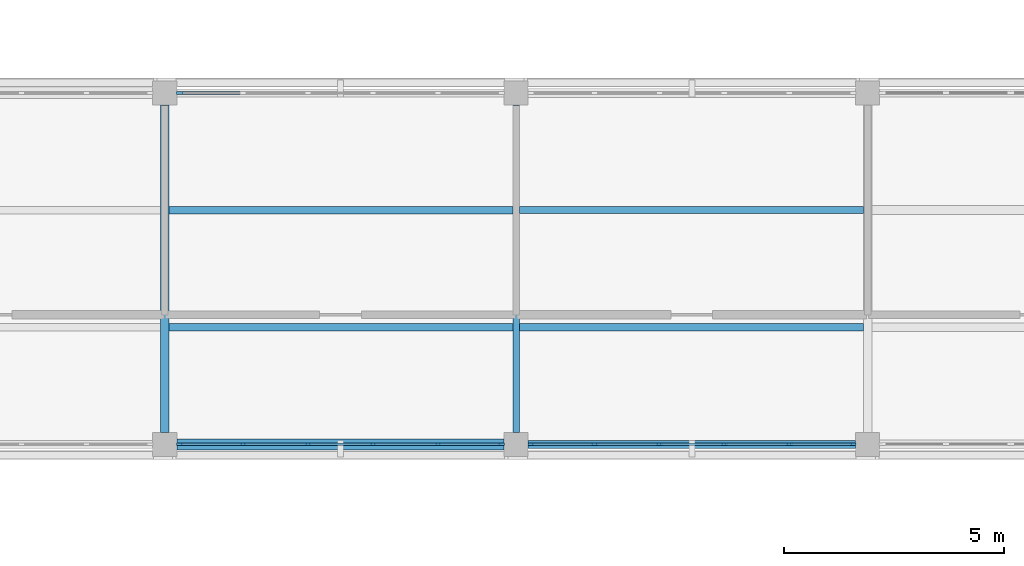
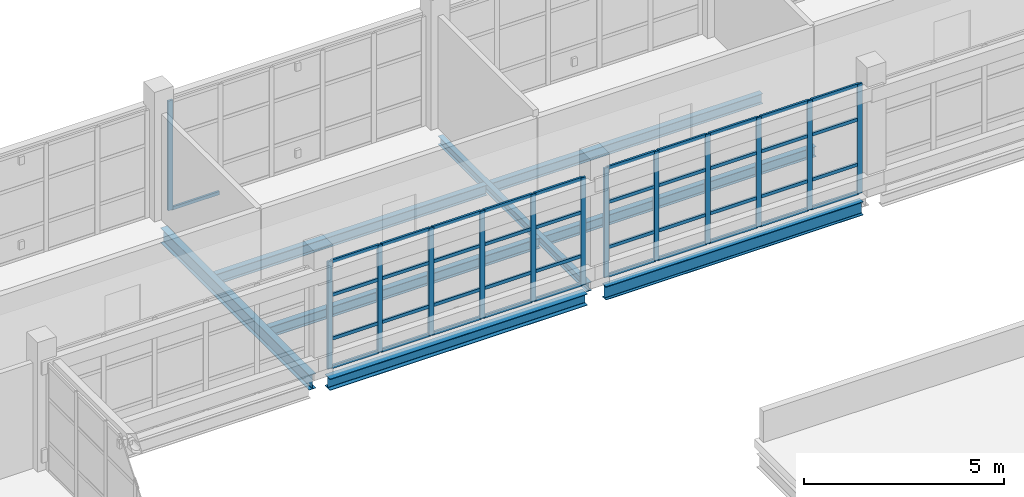
# One storey, part 36 of 92: 54 members, 8 beams, 3 elements without a shape of their own.
"""IFC4 building model written with IfcOpenShell, lengths in metres."""

from ifc_helpers import new_model, si_unit, derived_unit, direction, frame, origin, origin_2d, place, context, subcontext, project, spatial, rectangle, i_section, extrude, material, layer, layer_set, material_profile, profile_set, type_object, element, aggregate, save


model = new_model("IFC4")

# Units and contexts
model_context = context("Model", 3, precision=1e-05, world=origin(), true_north=direction((0.0, 1.0)))
body_context = subcontext(model_context, "Body", "Model", "MODEL_VIEW")
ifc_project = project(units=[si_unit("LENGTHUNIT", "METRE"), si_unit("AREAUNIT", "SQUARE_METRE"), si_unit("VOLUMEUNIT", "CUBIC_METRE"), si_unit("PLANEANGLEUNIT", "RADIAN"), si_unit("MASSUNIT", "GRAM", prefix="KILO"), derived_unit("THERMALTRANSMITTANCEUNIT", [(si_unit("MASSUNIT", "GRAM", prefix="KILO"), 1), (si_unit("TIMEUNIT", "SECOND"), -3), (si_unit("THERMODYNAMICTEMPERATUREUNIT", "KELVIN"), -1)])], contexts=[model_context])

# Site, building, storey
site_placement = place(None, origin())
site = spatial("IfcSite", under=ifc_project, at=site_placement, CompositionType="ELEMENT")
building_placement = place(site_placement, origin())
building = spatial("IfcBuilding", under=site, at=building_placement, Name="Veyamyaing Civic Hall", CompositionType="ELEMENT")
storey_placement = place(building_placement, frame((0.0, 0.0, 17.820068359375)))
storey = spatial("IfcBuildingStorey", under=building, at=storey_placement, Name="L04", CompositionType="ELEMENT", Elevation=17.820068359375)

# Beams
ifc_material_1 = material(Name="Steel ASTM A992", Category="steel")
ifc_material_profile_1 = material_profile(ifc_material_1, i_section(OverallWidth=0.18994140625, OverallDepth=0.45703125, WebThickness=0.009033203125, FlangeThickness=0.014404296875, FilletRadius=0.010009765625, at=origin_2d()), Name="W460X74")
ifc_profile_set_1 = profile_set([ifc_material_profile_1], Name="Steel ASTM A992")
beam_type_1 = type_object("IfcBeamType", Name="B-09", PredefinedType="BEAM", material=ifc_profile_set_1)
beam_1_placement = place(storey_placement, frame((128.0, 48.27490234375, -0.463623046875), z_axis=(0.0, 1.0, 0.0), x_axis=(-1.0, 0.0, 0.0)))
element("IfcBeam", 1, at=beam_1_placement, inside=storey, type_object=beam_type_1, Name="Girder B-09 L04 Grid 17 G-H", PredefinedType="BEAM", context=body_context, shape_type="SweptSolid", body=[
    extrude(i_section(OverallWidth=0.18994140625, OverallDepth=0.45703125, WebThickness=0.009033203125, FlangeThickness=0.014404296875, FilletRadius=0.010009765625, at=origin_2d()), origin(), (0.0, 0.0, 1.0), 7.4501953125),
])
ifc_material_profile_2 = material_profile(ifc_material_1, i_section(OverallWidth=0.179931640625, OverallDepth=0.4130859375, WebThickness=0.009765625, FlangeThickness=0.01611328125, FilletRadius=0.010009765625, at=origin_2d()), Name="W410X74")
ifc_profile_set_2 = profile_set([ifc_material_profile_2], Name="Steel ASTM A992")
beam_type_2 = type_object("IfcBeamType", Name="B-10", PredefinedType="SPANDREL", material=ifc_profile_set_2)
beam_2_placement = place(storey_placement, frame((136.27490234375, 48.0, -0.441650390625), z_axis=(1.0, 0.0, 0.0), x_axis=(0.0, 1.0, 0.0)))
element("IfcBeam", 2, at=beam_2_placement, inside=storey, type_object=beam_type_2, Name="Girder B-10 L04 Grid G 18-19", PredefinedType="SPANDREL", context=body_context, shape_type="SweptSolid", body=[
    extrude(i_section(OverallWidth=0.179931640625, OverallDepth=0.4130859375, WebThickness=0.009765625, FlangeThickness=0.01611328125, FilletRadius=0.010009765625, at=origin_2d()), origin(), (0.0, 0.0, 1.0), 7.4501953125),
])
ifc_material_profile_3 = material_profile(ifc_material_1, i_section(OverallWidth=0.14599609375, OverallDepth=0.258056640625, WebThickness=0.006103515625, FlangeThickness=0.009033203125, FilletRadius=0.010009765625, at=origin_2d()), Name="W250X33")
ifc_profile_set_3 = profile_set([ifc_material_profile_3], Name="Steel ASTM A992")
beam_type_3 = type_object("IfcBeamType", Name="B-12", PredefinedType="BEAM", material=ifc_profile_set_3)
beam_3_placement = place(storey_placement, frame((136.0, 48.27490234375, -0.364013671875), z_axis=(0.0, 1.0, 0.0), x_axis=(-1.0, 0.0, 0.0)))
element("IfcBeam", 3, at=beam_3_placement, inside=storey, type_object=beam_type_3, Name="Girder B-12 L04 Grid 18 G-H", PredefinedType="BEAM", context=body_context, shape_type="SweptSolid", body=[
    extrude(i_section(OverallWidth=0.14599609375, OverallDepth=0.258056640625, WebThickness=0.006103515625, FlangeThickness=0.009033203125, FilletRadius=0.010009765625, at=origin_2d()), origin(), (0.0, 0.0, 1.0), 7.4501953125),
])
ifc_material_profile_4 = material_profile(ifc_material_1, i_section(OverallWidth=0.25390625, OverallDepth=0.35302734375, WebThickness=0.009521484375, FlangeThickness=0.016357421875, FilletRadius=0.011962890625, at=origin_2d()), Name="W360X91")
ifc_profile_set_4 = profile_set([ifc_material_profile_4], Name="Steel ASTM A992")
beam_type_4 = type_object("IfcBeamType", Name="B-20", PredefinedType="SPANDREL", material=ifc_profile_set_4)
beam_4_placement = place(storey_placement, frame((128.27490234375, 48.0, -0.41162109375), z_axis=(1.0, 0.0, 0.0), x_axis=(0.0, 1.0, 0.0)))
element("IfcBeam", 4, at=beam_4_placement, inside=storey, type_object=beam_type_4, Name="Girder B-20 L04 Grid G 17-18", PredefinedType="SPANDREL", context=body_context, shape_type="SweptSolid", body=[
    extrude(i_section(OverallWidth=0.25390625, OverallDepth=0.35302734375, WebThickness=0.009521484375, FlangeThickness=0.016357421875, FilletRadius=0.011962890625, at=origin_2d()), origin(), (0.0, 0.0, 1.0), 7.4501953125),
])

# Curtain wall, members
ifc_material_2 = material(Name="Anodised aluminium 6063-T6", Category="aluminium")
ifc_layer = layer(ifc_material_2, 0.139892578125, Name="Anodised aluminium 6063-T6")
ifc_layer_set = layer_set([ifc_layer], Name="Anodised aluminium 6063-T6")
curtain_wall_type = type_object("IfcCurtainWallType", Name="CW-04", PredefinedType="NOTDEFINED", material=ifc_layer_set)
curtain_wall_1_placement = place(storey_placement, origin())
curtain_wall_1 = element("IfcCurtainWall", 5, at=curtain_wall_1_placement, inside=storey, type_object=curtain_wall_type, Name="Unitized curtain wall CW-04 L04 S 17.7", PredefinedType="NOTDEFINED")
ifc_material_profile_5 = material_profile(ifc_material_2, rectangle(XDim=0.06005859375, YDim=0.139892578125, at=origin_2d()), Name="ALU-MUL-60X140")
ifc_profile_set_5 = profile_set([ifc_material_profile_5], Name="Anodised aluminium 6063-T6")
member_type_1 = type_object("IfcMemberType", Name="CWM-03", PredefinedType="MULLION", material=ifc_profile_set_5)
member_1_placement = place(storey_placement, frame((128.3349609375, 48.0, 0.0), z_axis=(0.0, 0.0, 1.0), x_axis=(0.0, 1.0, 0.0)))
member_1 = element("IfcMember", 6, at=member_1_placement, type_object=member_type_1, Name="CW-04 mullion 1", PredefinedType="MULLION", context=body_context, shape_type="SweptSolid", body=[
    extrude(rectangle(XDim=0.06005859375, YDim=0.139892578125, at=origin_2d()), origin(), (0.0, 0.0, 1.0), 3.288818359375),
])
member_2_placement = place(storey_placement, frame((129.782958984375, 48.0, 0.0), z_axis=(0.0, 0.0, 1.0), x_axis=(0.0, 1.0, 0.0)))
member_2 = element("IfcMember", 7, at=member_2_placement, type_object=member_type_1, Name="CW-04 mullion 2", PredefinedType="MULLION", context=body_context, shape_type="SweptSolid", body=[
    extrude(rectangle(XDim=0.06005859375, YDim=0.139892578125, at=origin_2d()), origin(), (0.0, 0.0, 1.0), 3.288818359375),
])
member_3_placement = place(storey_placement, frame((131.260986328125, 48.0, 0.0), z_axis=(0.0, 0.0, 1.0), x_axis=(0.0, 1.0, 0.0)))
member_3 = element("IfcMember", 8, at=member_3_placement, type_object=member_type_1, Name="CW-04 mullion 3", PredefinedType="MULLION", context=body_context, shape_type="SweptSolid", body=[
    extrude(rectangle(XDim=0.06005859375, YDim=0.139892578125, at=origin_2d()), origin(), (0.0, 0.0, 1.0), 3.288818359375),
])
member_4_placement = place(storey_placement, frame((132.739013671875, 48.0, 0.0), z_axis=(0.0, 0.0, 1.0), x_axis=(0.0, 1.0, 0.0)))
member_4 = element("IfcMember", 9, at=member_4_placement, type_object=member_type_1, Name="CW-04 mullion 4", PredefinedType="MULLION", context=body_context, shape_type="SweptSolid", body=[
    extrude(rectangle(XDim=0.06005859375, YDim=0.139892578125, at=origin_2d()), origin(), (0.0, 0.0, 1.0), 3.288818359375),
])
member_5_placement = place(storey_placement, frame((134.217041015625, 48.0, 0.0), z_axis=(0.0, 0.0, 1.0), x_axis=(0.0, 1.0, 0.0)))
member_5 = element("IfcMember", 10, at=member_5_placement, type_object=member_type_1, Name="CW-04 mullion 5", PredefinedType="MULLION", context=body_context, shape_type="SweptSolid", body=[
    extrude(rectangle(XDim=0.06005859375, YDim=0.139892578125, at=origin_2d()), origin(), (0.0, 0.0, 1.0), 3.288818359375),
])
member_6_placement = place(storey_placement, frame((135.6650390625, 48.0, 0.0), z_axis=(0.0, 0.0, 1.0), x_axis=(0.0, 1.0, 0.0)))
member_6 = element("IfcMember", 11, at=member_6_placement, type_object=member_type_1, Name="CW-04 mullion 6", PredefinedType="MULLION", context=body_context, shape_type="SweptSolid", body=[
    extrude(rectangle(XDim=0.06005859375, YDim=0.139892578125, at=origin_2d()), origin(), (0.0, 0.0, 1.0), 3.288818359375),
])

# Curtain wall, member
curtain_wall_2_placement = place(storey_placement, origin())
curtain_wall_2 = element("IfcCurtainWall", 12, at=curtain_wall_2_placement, inside=storey, type_object=curtain_wall_type, Name="Unitized curtain wall CW-04 L04 N 17.7", PredefinedType="NOTDEFINED")
member_7_placement = place(storey_placement, frame((128.3349609375, 56.0, 0.0), z_axis=(0.0, 0.0, 1.0), x_axis=(0.0, 1.0, 0.0)))
member_7 = element("IfcMember", 13, at=member_7_placement, type_object=member_type_1, Name="CW-04 mullion 1", PredefinedType="MULLION", context=body_context, shape_type="SweptSolid", body=[
    extrude(rectangle(XDim=0.06005859375, YDim=0.139892578125, at=origin_2d()), origin(), (0.0, 0.0, 1.0), 3.35205078125),
])

# Curtain wall, members
curtain_wall_3_placement = place(storey_placement, origin())
curtain_wall_3 = element("IfcCurtainWall", 14, at=curtain_wall_3_placement, inside=storey, type_object=curtain_wall_type, Name="Unitized curtain wall CW-04 L04 S 18.7", PredefinedType="NOTDEFINED")
member_8_placement = place(storey_placement, frame((136.3349609375, 48.0, 0.0), z_axis=(0.0, 0.0, 1.0), x_axis=(0.0, 1.0, 0.0)))
member_8 = element("IfcMember", 15, at=member_8_placement, type_object=member_type_1, Name="CW-04 mullion 1", PredefinedType="MULLION", context=body_context, shape_type="SweptSolid", body=[
    extrude(rectangle(XDim=0.06005859375, YDim=0.139892578125, at=origin_2d()), origin(), (0.0, 0.0, 1.0), 3.35205078125),
])
member_9_placement = place(storey_placement, frame((137.782958984375, 48.0, 0.0), z_axis=(0.0, 0.0, 1.0), x_axis=(0.0, 1.0, 0.0)))
member_9 = element("IfcMember", 16, at=member_9_placement, type_object=member_type_1, Name="CW-04 mullion 2", PredefinedType="MULLION", context=body_context, shape_type="SweptSolid", body=[
    extrude(rectangle(XDim=0.06005859375, YDim=0.139892578125, at=origin_2d()), origin(), (0.0, 0.0, 1.0), 3.35205078125),
])
member_10_placement = place(storey_placement, frame((139.260986328125, 48.0, 0.0), z_axis=(0.0, 0.0, 1.0), x_axis=(0.0, 1.0, 0.0)))
member_10 = element("IfcMember", 17, at=member_10_placement, type_object=member_type_1, Name="CW-04 mullion 3", PredefinedType="MULLION", context=body_context, shape_type="SweptSolid", body=[
    extrude(rectangle(XDim=0.06005859375, YDim=0.139892578125, at=origin_2d()), origin(), (0.0, 0.0, 1.0), 3.35205078125),
])
member_11_placement = place(storey_placement, frame((140.739013671875, 48.0, 0.0), z_axis=(0.0, 0.0, 1.0), x_axis=(0.0, 1.0, 0.0)))
member_11 = element("IfcMember", 18, at=member_11_placement, type_object=member_type_1, Name="CW-04 mullion 4", PredefinedType="MULLION", context=body_context, shape_type="SweptSolid", body=[
    extrude(rectangle(XDim=0.06005859375, YDim=0.139892578125, at=origin_2d()), origin(), (0.0, 0.0, 1.0), 3.35205078125),
])
member_12_placement = place(storey_placement, frame((142.217041015625, 48.0, 0.0), z_axis=(0.0, 0.0, 1.0), x_axis=(0.0, 1.0, 0.0)))
member_12 = element("IfcMember", 19, at=member_12_placement, type_object=member_type_1, Name="CW-04 mullion 5", PredefinedType="MULLION", context=body_context, shape_type="SweptSolid", body=[
    extrude(rectangle(XDim=0.06005859375, YDim=0.139892578125, at=origin_2d()), origin(), (0.0, 0.0, 1.0), 3.35205078125),
])
member_13_placement = place(storey_placement, frame((143.6650390625, 48.0, 0.0), z_axis=(0.0, 0.0, 1.0), x_axis=(0.0, 1.0, 0.0)))
member_13 = element("IfcMember", 20, at=member_13_placement, type_object=member_type_1, Name="CW-04 mullion 6", PredefinedType="MULLION", context=body_context, shape_type="SweptSolid", body=[
    extrude(rectangle(XDim=0.06005859375, YDim=0.139892578125, at=origin_2d()), origin(), (0.0, 0.0, 1.0), 3.35205078125),
])

# Member
ifc_material_profile_6 = material_profile(ifc_material_2, rectangle(XDim=0.06005859375, YDim=0.10009765625, at=origin_2d()), Name="ALU-TRN-60X100")
ifc_profile_set_6 = profile_set([ifc_material_profile_6], Name="Anodised aluminium 6063-T6")
member_type_2 = type_object("IfcMemberType", Name="CWT-03", PredefinedType="USERDEFINED", material=ifc_profile_set_6)
member_14_placement = place(storey_placement, frame((128.364990234375, 48.0, 0.030029296875), z_axis=(1.0, 0.0, 0.0), x_axis=(0.0, 1.0, 0.0)))
member_14 = element("IfcMember", 21, at=member_14_placement, type_object=member_type_2, Name="CW-04 transom 1.1", ObjectType="TRANSOM", PredefinedType="USERDEFINED", context=body_context, shape_type="SweptSolid", body=[
    extrude(rectangle(XDim=0.06005859375, YDim=0.10009765625, at=origin_2d()), origin(), (0.0, 0.0, 1.0), 1.387939453125),
])

member_15_placement = place(storey_placement, frame((128.364990234375, 48.0, 0.89990234375), z_axis=(1.0, 0.0, 0.0), x_axis=(0.0, 1.0, 0.0)))
member_15 = element("IfcMember", 22, at=member_15_placement, type_object=member_type_2, Name="CW-04 transom 1.2", ObjectType="TRANSOM", PredefinedType="USERDEFINED", context=body_context, shape_type="SweptSolid", body=[
    extrude(rectangle(XDim=0.06005859375, YDim=0.10009765625, at=origin_2d()), origin(), (0.0, 0.0, 1.0), 1.387939453125),
])

member_16_placement = place(storey_placement, frame((128.364990234375, 48.0, 2.236328125), z_axis=(1.0, 0.0, 0.0), x_axis=(0.0, 1.0, 0.0)))
member_16 = element("IfcMember", 23, at=member_16_placement, type_object=member_type_2, Name="CW-04 transom 1.3", ObjectType="TRANSOM", PredefinedType="USERDEFINED", context=body_context, shape_type="SweptSolid", body=[
    extrude(rectangle(XDim=0.06005859375, YDim=0.10009765625, at=origin_2d()), origin(), (0.0, 0.0, 1.0), 1.387939453125),
])

member_17_placement = place(storey_placement, frame((128.364990234375, 48.0, 3.259033203125), z_axis=(1.0, 0.0, 0.0), x_axis=(0.0, 1.0, 0.0)))
member_17 = element("IfcMember", 24, at=member_17_placement, type_object=member_type_2, Name="CW-04 transom 1.4", ObjectType="TRANSOM", PredefinedType="USERDEFINED", context=body_context, shape_type="SweptSolid", body=[
    extrude(rectangle(XDim=0.06005859375, YDim=0.10009765625, at=origin_2d()), origin(), (0.0, 0.0, 1.0), 1.387939453125),
])

member_18_placement = place(storey_placement, frame((129.81298828125, 48.0, 0.030029296875), z_axis=(1.0, 0.0, 0.0), x_axis=(0.0, 1.0, 0.0)))
member_18 = element("IfcMember", 25, at=member_18_placement, type_object=member_type_2, Name="CW-04 transom 2.1", ObjectType="TRANSOM", PredefinedType="USERDEFINED", context=body_context, shape_type="SweptSolid", body=[
    extrude(rectangle(XDim=0.06005859375, YDim=0.10009765625, at=origin_2d()), origin(), (0.0, 0.0, 1.0), 1.41796875),
])

member_19_placement = place(storey_placement, frame((129.81298828125, 48.0, 0.89990234375), z_axis=(1.0, 0.0, 0.0), x_axis=(0.0, 1.0, 0.0)))
member_19 = element("IfcMember", 26, at=member_19_placement, type_object=member_type_2, Name="CW-04 transom 2.2", ObjectType="TRANSOM", PredefinedType="USERDEFINED", context=body_context, shape_type="SweptSolid", body=[
    extrude(rectangle(XDim=0.06005859375, YDim=0.10009765625, at=origin_2d()), origin(), (0.0, 0.0, 1.0), 1.41796875),
])

member_20_placement = place(storey_placement, frame((129.81298828125, 48.0, 2.236328125), z_axis=(1.0, 0.0, 0.0), x_axis=(0.0, 1.0, 0.0)))
member_20 = element("IfcMember", 27, at=member_20_placement, type_object=member_type_2, Name="CW-04 transom 2.3", ObjectType="TRANSOM", PredefinedType="USERDEFINED", context=body_context, shape_type="SweptSolid", body=[
    extrude(rectangle(XDim=0.06005859375, YDim=0.10009765625, at=origin_2d()), origin(), (0.0, 0.0, 1.0), 1.41796875),
])

member_21_placement = place(storey_placement, frame((129.81298828125, 48.0, 3.259033203125), z_axis=(1.0, 0.0, 0.0), x_axis=(0.0, 1.0, 0.0)))
member_21 = element("IfcMember", 28, at=member_21_placement, type_object=member_type_2, Name="CW-04 transom 2.4", ObjectType="TRANSOM", PredefinedType="USERDEFINED", context=body_context, shape_type="SweptSolid", body=[
    extrude(rectangle(XDim=0.06005859375, YDim=0.10009765625, at=origin_2d()), origin(), (0.0, 0.0, 1.0), 1.41796875),
])

member_22_placement = place(storey_placement, frame((131.291015625, 48.0, 0.030029296875), z_axis=(1.0, 0.0, 0.0), x_axis=(0.0, 1.0, 0.0)))
member_22 = element("IfcMember", 29, at=member_22_placement, type_object=member_type_2, Name="CW-04 transom 3.1", ObjectType="TRANSOM", PredefinedType="USERDEFINED", context=body_context, shape_type="SweptSolid", body=[
    extrude(rectangle(XDim=0.06005859375, YDim=0.10009765625, at=origin_2d()), origin(), (0.0, 0.0, 1.0), 1.41796875),
])

member_23_placement = place(storey_placement, frame((131.291015625, 48.0, 0.89990234375), z_axis=(1.0, 0.0, 0.0), x_axis=(0.0, 1.0, 0.0)))
member_23 = element("IfcMember", 30, at=member_23_placement, type_object=member_type_2, Name="CW-04 transom 3.2", ObjectType="TRANSOM", PredefinedType="USERDEFINED", context=body_context, shape_type="SweptSolid", body=[
    extrude(rectangle(XDim=0.06005859375, YDim=0.10009765625, at=origin_2d()), origin(), (0.0, 0.0, 1.0), 1.41796875),
])

member_24_placement = place(storey_placement, frame((131.291015625, 48.0, 2.236328125), z_axis=(1.0, 0.0, 0.0), x_axis=(0.0, 1.0, 0.0)))
member_24 = element("IfcMember", 31, at=member_24_placement, type_object=member_type_2, Name="CW-04 transom 3.3", ObjectType="TRANSOM", PredefinedType="USERDEFINED", context=body_context, shape_type="SweptSolid", body=[
    extrude(rectangle(XDim=0.06005859375, YDim=0.10009765625, at=origin_2d()), origin(), (0.0, 0.0, 1.0), 1.41796875),
])

member_25_placement = place(storey_placement, frame((131.291015625, 48.0, 3.259033203125), z_axis=(1.0, 0.0, 0.0), x_axis=(0.0, 1.0, 0.0)))
member_25 = element("IfcMember", 32, at=member_25_placement, type_object=member_type_2, Name="CW-04 transom 3.4", ObjectType="TRANSOM", PredefinedType="USERDEFINED", context=body_context, shape_type="SweptSolid", body=[
    extrude(rectangle(XDim=0.06005859375, YDim=0.10009765625, at=origin_2d()), origin(), (0.0, 0.0, 1.0), 1.41796875),
])

member_26_placement = place(storey_placement, frame((132.76904296875, 48.0, 0.030029296875), z_axis=(1.0, 0.0, 0.0), x_axis=(0.0, 1.0, 0.0)))
member_26 = element("IfcMember", 33, at=member_26_placement, type_object=member_type_2, Name="CW-04 transom 4.1", ObjectType="TRANSOM", PredefinedType="USERDEFINED", context=body_context, shape_type="SweptSolid", body=[
    extrude(rectangle(XDim=0.06005859375, YDim=0.10009765625, at=origin_2d()), origin(), (0.0, 0.0, 1.0), 1.41796875),
])

member_27_placement = place(storey_placement, frame((132.76904296875, 48.0, 0.89990234375), z_axis=(1.0, 0.0, 0.0), x_axis=(0.0, 1.0, 0.0)))
member_27 = element("IfcMember", 34, at=member_27_placement, type_object=member_type_2, Name="CW-04 transom 4.2", ObjectType="TRANSOM", PredefinedType="USERDEFINED", context=body_context, shape_type="SweptSolid", body=[
    extrude(rectangle(XDim=0.06005859375, YDim=0.10009765625, at=origin_2d()), origin(), (0.0, 0.0, 1.0), 1.41796875),
])

member_28_placement = place(storey_placement, frame((132.76904296875, 48.0, 2.236328125), z_axis=(1.0, 0.0, 0.0), x_axis=(0.0, 1.0, 0.0)))
member_28 = element("IfcMember", 35, at=member_28_placement, type_object=member_type_2, Name="CW-04 transom 4.3", ObjectType="TRANSOM", PredefinedType="USERDEFINED", context=body_context, shape_type="SweptSolid", body=[
    extrude(rectangle(XDim=0.06005859375, YDim=0.10009765625, at=origin_2d()), origin(), (0.0, 0.0, 1.0), 1.41796875),
])

member_29_placement = place(storey_placement, frame((132.76904296875, 48.0, 3.259033203125), z_axis=(1.0, 0.0, 0.0), x_axis=(0.0, 1.0, 0.0)))
member_29 = element("IfcMember", 36, at=member_29_placement, type_object=member_type_2, Name="CW-04 transom 4.4", ObjectType="TRANSOM", PredefinedType="USERDEFINED", context=body_context, shape_type="SweptSolid", body=[
    extrude(rectangle(XDim=0.06005859375, YDim=0.10009765625, at=origin_2d()), origin(), (0.0, 0.0, 1.0), 1.41796875),
])

member_30_placement = place(storey_placement, frame((134.2470703125, 48.0, 0.030029296875), z_axis=(1.0, 0.0, 0.0), x_axis=(0.0, 1.0, 0.0)))
member_30 = element("IfcMember", 37, at=member_30_placement, type_object=member_type_2, Name="CW-04 transom 5.1", ObjectType="TRANSOM", PredefinedType="USERDEFINED", context=body_context, shape_type="SweptSolid", body=[
    extrude(rectangle(XDim=0.06005859375, YDim=0.10009765625, at=origin_2d()), origin(), (0.0, 0.0, 1.0), 1.387939453125),
])

member_31_placement = place(storey_placement, frame((134.2470703125, 48.0, 0.89990234375), z_axis=(1.0, 0.0, 0.0), x_axis=(0.0, 1.0, 0.0)))
member_31 = element("IfcMember", 38, at=member_31_placement, type_object=member_type_2, Name="CW-04 transom 5.2", ObjectType="TRANSOM", PredefinedType="USERDEFINED", context=body_context, shape_type="SweptSolid", body=[
    extrude(rectangle(XDim=0.06005859375, YDim=0.10009765625, at=origin_2d()), origin(), (0.0, 0.0, 1.0), 1.387939453125),
])

member_32_placement = place(storey_placement, frame((134.2470703125, 48.0, 2.236328125), z_axis=(1.0, 0.0, 0.0), x_axis=(0.0, 1.0, 0.0)))
member_32 = element("IfcMember", 39, at=member_32_placement, type_object=member_type_2, Name="CW-04 transom 5.3", ObjectType="TRANSOM", PredefinedType="USERDEFINED", context=body_context, shape_type="SweptSolid", body=[
    extrude(rectangle(XDim=0.06005859375, YDim=0.10009765625, at=origin_2d()), origin(), (0.0, 0.0, 1.0), 1.387939453125),
])

member_33_placement = place(storey_placement, frame((134.2470703125, 48.0, 3.259033203125), z_axis=(1.0, 0.0, 0.0), x_axis=(0.0, 1.0, 0.0)))
member_33 = element("IfcMember", 40, at=member_33_placement, type_object=member_type_2, Name="CW-04 transom 5.4", ObjectType="TRANSOM", PredefinedType="USERDEFINED", context=body_context, shape_type="SweptSolid", body=[
    extrude(rectangle(XDim=0.06005859375, YDim=0.10009765625, at=origin_2d()), origin(), (0.0, 0.0, 1.0), 1.387939453125),
])

aggregate(curtain_wall_1, [member_1, member_2, member_3, member_4, member_5, member_6, member_14, member_15, member_16, member_17, member_18, member_19, member_20, member_21, member_22, member_23, member_24, member_25, member_26, member_27, member_28, member_29, member_30, member_31, member_32, member_33])

member_34_placement = place(storey_placement, frame((128.364990234375, 56.0, 0.030029296875), z_axis=(1.0, 0.0, 0.0), x_axis=(0.0, 1.0, 0.0)))
member_34 = element("IfcMember", 41, at=member_34_placement, type_object=member_type_2, Name="CW-04 transom 1.1", ObjectType="TRANSOM", PredefinedType="USERDEFINED", context=body_context, shape_type="SweptSolid", body=[
    extrude(rectangle(XDim=0.06005859375, YDim=0.10009765625, at=origin_2d()), origin(), (0.0, 0.0, 1.0), 1.387939453125),
])

aggregate(curtain_wall_2, [member_7, member_34])

member_35_placement = place(storey_placement, frame((136.364990234375, 48.0, 0.030029296875), z_axis=(1.0, 0.0, 0.0), x_axis=(0.0, 1.0, 0.0)))
member_35 = element("IfcMember", 42, at=member_35_placement, type_object=member_type_2, Name="CW-04 transom 1.1", ObjectType="TRANSOM", PredefinedType="USERDEFINED", context=body_context, shape_type="SweptSolid", body=[
    extrude(rectangle(XDim=0.06005859375, YDim=0.10009765625, at=origin_2d()), origin(), (0.0, 0.0, 1.0), 1.387939453125),
])

member_36_placement = place(storey_placement, frame((136.364990234375, 48.0, 0.89990234375), z_axis=(1.0, 0.0, 0.0), x_axis=(0.0, 1.0, 0.0)))
member_36 = element("IfcMember", 43, at=member_36_placement, type_object=member_type_2, Name="CW-04 transom 1.2", ObjectType="TRANSOM", PredefinedType="USERDEFINED", context=body_context, shape_type="SweptSolid", body=[
    extrude(rectangle(XDim=0.06005859375, YDim=0.10009765625, at=origin_2d()), origin(), (0.0, 0.0, 1.0), 1.387939453125),
])

member_37_placement = place(storey_placement, frame((136.364990234375, 48.0, 2.279296875), z_axis=(1.0, 0.0, 0.0), x_axis=(0.0, 1.0, 0.0)))
member_37 = element("IfcMember", 44, at=member_37_placement, type_object=member_type_2, Name="CW-04 transom 1.3", ObjectType="TRANSOM", PredefinedType="USERDEFINED", context=body_context, shape_type="SweptSolid", body=[
    extrude(rectangle(XDim=0.06005859375, YDim=0.10009765625, at=origin_2d()), origin(), (0.0, 0.0, 1.0), 1.387939453125),
])

member_38_placement = place(storey_placement, frame((136.364990234375, 48.0, 3.322021484375), z_axis=(1.0, 0.0, 0.0), x_axis=(0.0, 1.0, 0.0)))
member_38 = element("IfcMember", 45, at=member_38_placement, type_object=member_type_2, Name="CW-04 transom 1.4", ObjectType="TRANSOM", PredefinedType="USERDEFINED", context=body_context, shape_type="SweptSolid", body=[
    extrude(rectangle(XDim=0.06005859375, YDim=0.10009765625, at=origin_2d()), origin(), (0.0, 0.0, 1.0), 1.387939453125),
])

member_39_placement = place(storey_placement, frame((137.81298828125, 48.0, 0.030029296875), z_axis=(1.0, 0.0, 0.0), x_axis=(0.0, 1.0, 0.0)))
member_39 = element("IfcMember", 46, at=member_39_placement, type_object=member_type_2, Name="CW-04 transom 2.1", ObjectType="TRANSOM", PredefinedType="USERDEFINED", context=body_context, shape_type="SweptSolid", body=[
    extrude(rectangle(XDim=0.06005859375, YDim=0.10009765625, at=origin_2d()), origin(), (0.0, 0.0, 1.0), 1.41796875),
])

member_40_placement = place(storey_placement, frame((137.81298828125, 48.0, 0.89990234375), z_axis=(1.0, 0.0, 0.0), x_axis=(0.0, 1.0, 0.0)))
member_40 = element("IfcMember", 47, at=member_40_placement, type_object=member_type_2, Name="CW-04 transom 2.2", ObjectType="TRANSOM", PredefinedType="USERDEFINED", context=body_context, shape_type="SweptSolid", body=[
    extrude(rectangle(XDim=0.06005859375, YDim=0.10009765625, at=origin_2d()), origin(), (0.0, 0.0, 1.0), 1.41796875),
])

member_41_placement = place(storey_placement, frame((137.81298828125, 48.0, 2.279296875), z_axis=(1.0, 0.0, 0.0), x_axis=(0.0, 1.0, 0.0)))
member_41 = element("IfcMember", 48, at=member_41_placement, type_object=member_type_2, Name="CW-04 transom 2.3", ObjectType="TRANSOM", PredefinedType="USERDEFINED", context=body_context, shape_type="SweptSolid", body=[
    extrude(rectangle(XDim=0.06005859375, YDim=0.10009765625, at=origin_2d()), origin(), (0.0, 0.0, 1.0), 1.41796875),
])

member_42_placement = place(storey_placement, frame((137.81298828125, 48.0, 3.322021484375), z_axis=(1.0, 0.0, 0.0), x_axis=(0.0, 1.0, 0.0)))
member_42 = element("IfcMember", 49, at=member_42_placement, type_object=member_type_2, Name="CW-04 transom 2.4", ObjectType="TRANSOM", PredefinedType="USERDEFINED", context=body_context, shape_type="SweptSolid", body=[
    extrude(rectangle(XDim=0.06005859375, YDim=0.10009765625, at=origin_2d()), origin(), (0.0, 0.0, 1.0), 1.41796875),
])

member_43_placement = place(storey_placement, frame((139.291015625, 48.0, 0.030029296875), z_axis=(1.0, 0.0, 0.0), x_axis=(0.0, 1.0, 0.0)))
member_43 = element("IfcMember", 50, at=member_43_placement, type_object=member_type_2, Name="CW-04 transom 3.1", ObjectType="TRANSOM", PredefinedType="USERDEFINED", context=body_context, shape_type="SweptSolid", body=[
    extrude(rectangle(XDim=0.06005859375, YDim=0.10009765625, at=origin_2d()), origin(), (0.0, 0.0, 1.0), 1.41796875),
])

member_44_placement = place(storey_placement, frame((139.291015625, 48.0, 0.89990234375), z_axis=(1.0, 0.0, 0.0), x_axis=(0.0, 1.0, 0.0)))
member_44 = element("IfcMember", 51, at=member_44_placement, type_object=member_type_2, Name="CW-04 transom 3.2", ObjectType="TRANSOM", PredefinedType="USERDEFINED", context=body_context, shape_type="SweptSolid", body=[
    extrude(rectangle(XDim=0.06005859375, YDim=0.10009765625, at=origin_2d()), origin(), (0.0, 0.0, 1.0), 1.41796875),
])

member_45_placement = place(storey_placement, frame((139.291015625, 48.0, 2.279296875), z_axis=(1.0, 0.0, 0.0), x_axis=(0.0, 1.0, 0.0)))
member_45 = element("IfcMember", 52, at=member_45_placement, type_object=member_type_2, Name="CW-04 transom 3.3", ObjectType="TRANSOM", PredefinedType="USERDEFINED", context=body_context, shape_type="SweptSolid", body=[
    extrude(rectangle(XDim=0.06005859375, YDim=0.10009765625, at=origin_2d()), origin(), (0.0, 0.0, 1.0), 1.41796875),
])

member_46_placement = place(storey_placement, frame((139.291015625, 48.0, 3.322021484375), z_axis=(1.0, 0.0, 0.0), x_axis=(0.0, 1.0, 0.0)))
member_46 = element("IfcMember", 53, at=member_46_placement, type_object=member_type_2, Name="CW-04 transom 3.4", ObjectType="TRANSOM", PredefinedType="USERDEFINED", context=body_context, shape_type="SweptSolid", body=[
    extrude(rectangle(XDim=0.06005859375, YDim=0.10009765625, at=origin_2d()), origin(), (0.0, 0.0, 1.0), 1.41796875),
])

member_47_placement = place(storey_placement, frame((140.76904296875, 48.0, 0.030029296875), z_axis=(1.0, 0.0, 0.0), x_axis=(0.0, 1.0, 0.0)))
member_47 = element("IfcMember", 54, at=member_47_placement, type_object=member_type_2, Name="CW-04 transom 4.1", ObjectType="TRANSOM", PredefinedType="USERDEFINED", context=body_context, shape_type="SweptSolid", body=[
    extrude(rectangle(XDim=0.06005859375, YDim=0.10009765625, at=origin_2d()), origin(), (0.0, 0.0, 1.0), 1.41796875),
])

member_48_placement = place(storey_placement, frame((140.76904296875, 48.0, 0.89990234375), z_axis=(1.0, 0.0, 0.0), x_axis=(0.0, 1.0, 0.0)))
member_48 = element("IfcMember", 55, at=member_48_placement, type_object=member_type_2, Name="CW-04 transom 4.2", ObjectType="TRANSOM", PredefinedType="USERDEFINED", context=body_context, shape_type="SweptSolid", body=[
    extrude(rectangle(XDim=0.06005859375, YDim=0.10009765625, at=origin_2d()), origin(), (0.0, 0.0, 1.0), 1.41796875),
])

member_49_placement = place(storey_placement, frame((140.76904296875, 48.0, 2.279296875), z_axis=(1.0, 0.0, 0.0), x_axis=(0.0, 1.0, 0.0)))
member_49 = element("IfcMember", 56, at=member_49_placement, type_object=member_type_2, Name="CW-04 transom 4.3", ObjectType="TRANSOM", PredefinedType="USERDEFINED", context=body_context, shape_type="SweptSolid", body=[
    extrude(rectangle(XDim=0.06005859375, YDim=0.10009765625, at=origin_2d()), origin(), (0.0, 0.0, 1.0), 1.41796875),
])

member_50_placement = place(storey_placement, frame((140.76904296875, 48.0, 3.322021484375), z_axis=(1.0, 0.0, 0.0), x_axis=(0.0, 1.0, 0.0)))
member_50 = element("IfcMember", 57, at=member_50_placement, type_object=member_type_2, Name="CW-04 transom 4.4", ObjectType="TRANSOM", PredefinedType="USERDEFINED", context=body_context, shape_type="SweptSolid", body=[
    extrude(rectangle(XDim=0.06005859375, YDim=0.10009765625, at=origin_2d()), origin(), (0.0, 0.0, 1.0), 1.41796875),
])

member_51_placement = place(storey_placement, frame((142.2470703125, 48.0, 0.030029296875), z_axis=(1.0, 0.0, 0.0), x_axis=(0.0, 1.0, 0.0)))
member_51 = element("IfcMember", 58, at=member_51_placement, type_object=member_type_2, Name="CW-04 transom 5.1", ObjectType="TRANSOM", PredefinedType="USERDEFINED", context=body_context, shape_type="SweptSolid", body=[
    extrude(rectangle(XDim=0.06005859375, YDim=0.10009765625, at=origin_2d()), origin(), (0.0, 0.0, 1.0), 1.387939453125),
])

member_52_placement = place(storey_placement, frame((142.2470703125, 48.0, 0.89990234375), z_axis=(1.0, 0.0, 0.0), x_axis=(0.0, 1.0, 0.0)))
member_52 = element("IfcMember", 59, at=member_52_placement, type_object=member_type_2, Name="CW-04 transom 5.2", ObjectType="TRANSOM", PredefinedType="USERDEFINED", context=body_context, shape_type="SweptSolid", body=[
    extrude(rectangle(XDim=0.06005859375, YDim=0.10009765625, at=origin_2d()), origin(), (0.0, 0.0, 1.0), 1.387939453125),
])

member_53_placement = place(storey_placement, frame((142.2470703125, 48.0, 2.279296875), z_axis=(1.0, 0.0, 0.0), x_axis=(0.0, 1.0, 0.0)))
member_53 = element("IfcMember", 60, at=member_53_placement, type_object=member_type_2, Name="CW-04 transom 5.3", ObjectType="TRANSOM", PredefinedType="USERDEFINED", context=body_context, shape_type="SweptSolid", body=[
    extrude(rectangle(XDim=0.06005859375, YDim=0.10009765625, at=origin_2d()), origin(), (0.0, 0.0, 1.0), 1.387939453125),
])

member_54_placement = place(storey_placement, frame((142.2470703125, 48.0, 3.322021484375), z_axis=(1.0, 0.0, 0.0), x_axis=(0.0, 1.0, 0.0)))
member_54 = element("IfcMember", 61, at=member_54_placement, type_object=member_type_2, Name="CW-04 transom 5.4", ObjectType="TRANSOM", PredefinedType="USERDEFINED", context=body_context, shape_type="SweptSolid", body=[
    extrude(rectangle(XDim=0.06005859375, YDim=0.10009765625, at=origin_2d()), origin(), (0.0, 0.0, 1.0), 1.387939453125),
])

aggregate(curtain_wall_3, [member_8, member_9, member_10, member_11, member_12, member_13, member_35, member_36, member_37, member_38, member_39, member_40, member_41, member_42, member_43, member_44, member_45, member_46, member_47, member_48, member_49, member_50, member_51, member_52, member_53, member_54])

# Beams
ifc_material_profile_7 = material_profile(ifc_material_1, i_section(OverallWidth=0.1669921875, OverallDepth=0.318115234375, WebThickness=0.007568359375, FlangeThickness=0.01318359375, FilletRadius=0.010009765625, at=origin_2d()), Name="W310X52")
ifc_profile_set_7 = profile_set([ifc_material_profile_7], Name="Steel ASTM A992")
beam_type_5 = type_object("IfcBeamType", Name="J-04", PredefinedType="JOIST", material=ifc_profile_set_7)
for number, where, z_axis, x_axis, name in (
    (62, (128.093017578125, 50.666748046875, -0.39404296875), (1.0, 0.0, 0.0), (0.0, 1.0, 0.0), "Composite floor joist J-04 L04 17.7.1"),
    (63, (128.093017578125, 53.333251953125, -0.39404296875), (1.0, 0.0, 0.0), (0.0, 1.0, 0.0), "Composite floor joist J-04 L04 17.7.2"),
):
    element("IfcBeam", number, at=place(storey_placement, frame(where, z_axis=z_axis, x_axis=x_axis)), inside=storey, type_object=beam_type_5, Name=name, PredefinedType="JOIST", context=body_context, shape_type="SweptSolid", body=[
        extrude(i_section(OverallWidth=0.1669921875, OverallDepth=0.318115234375, WebThickness=0.007568359375, FlangeThickness=0.01318359375, FilletRadius=0.010009765625, at=origin_2d()), origin(), (0.0, 0.0, 1.0), 7.8359375),
    ])
ifc_material_profile_8 = material_profile(ifc_material_1, i_section(OverallWidth=0.1650390625, OverallDepth=0.31005859375, WebThickness=0.005859375, FlangeThickness=0.009765625, FilletRadius=0.010009765625, at=origin_2d()), Name="W310X39")
ifc_profile_set_8 = profile_set([ifc_material_profile_8], Name="Steel ASTM A992")
beam_type_6 = type_object("IfcBeamType", Name="J-05", PredefinedType="JOIST", material=ifc_profile_set_8)
for number, where, z_axis, x_axis, name in (
    (64, (136.071044921875, 50.666748046875, -0.39013671875), (1.0, 0.0, 0.0), (0.0, 1.0, 0.0), "Composite floor joist J-05 L04 18.7.1"),
    (65, (136.071044921875, 53.333251953125, -0.39013671875), (1.0, 0.0, 0.0), (0.0, 1.0, 0.0), "Composite floor joist J-05 L04 18.7.2"),
):
    element("IfcBeam", number, at=place(storey_placement, frame(where, z_axis=z_axis, x_axis=x_axis)), inside=storey, type_object=beam_type_6, Name=name, PredefinedType="JOIST", context=body_context, shape_type="SweptSolid", body=[
        extrude(i_section(OverallWidth=0.1650390625, OverallDepth=0.31005859375, WebThickness=0.005859375, FlangeThickness=0.009765625, FilletRadius=0.010009765625, at=origin_2d()), origin(), (0.0, 0.0, 1.0), 7.8349609375),
    ])

save(model, "model.ifc")
